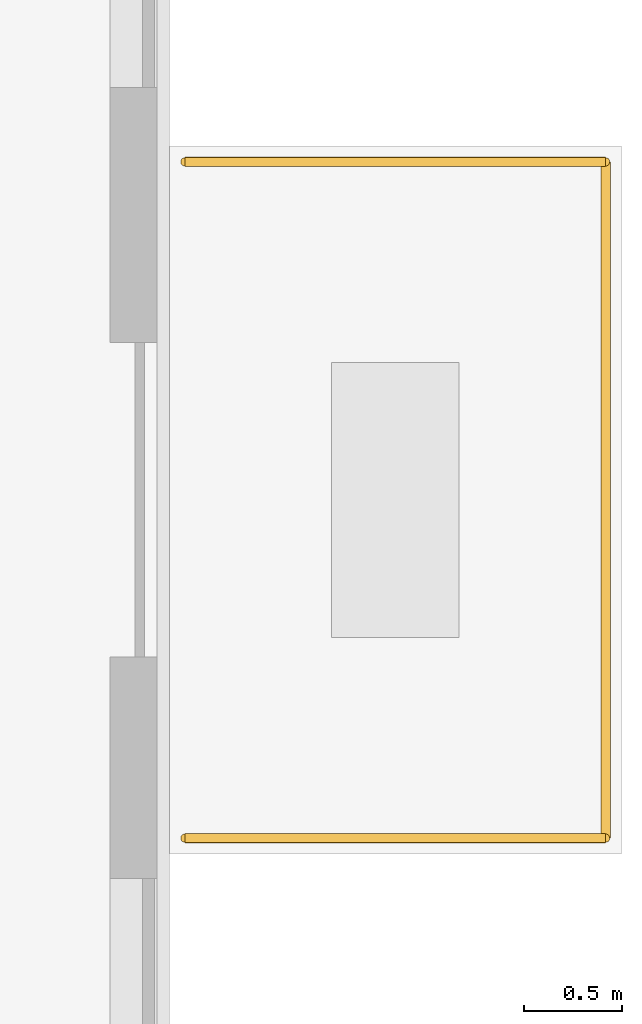
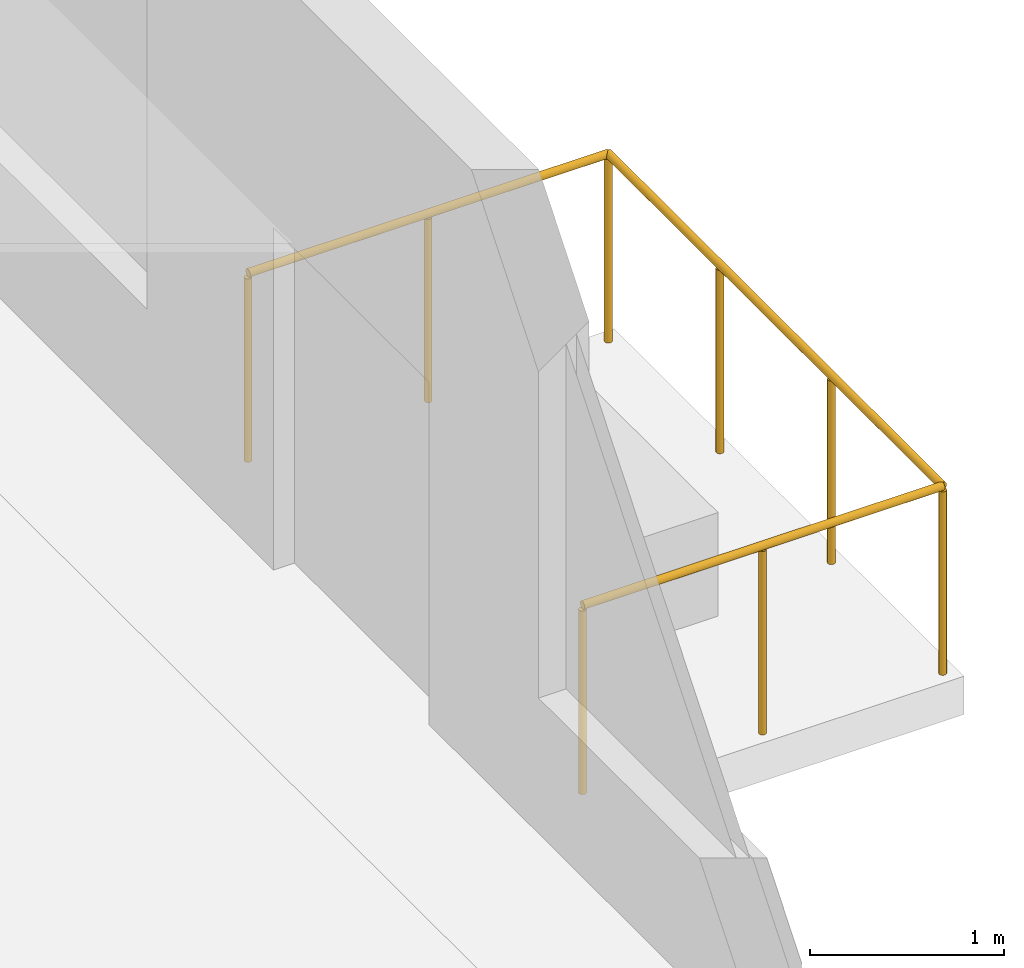
# One storey, part 11 of 11: 3 railings.
"""IFC4 building model written with IfcOpenShell, lengths in metres."""

from ifc_helpers import new_model, si_unit, direction, frame, origin, origin_2d, place, context, subcontext, project, spatial, circle, extrude, material, type_object, element, save


model = new_model("IFC4")

# Units and contexts
model_context = context("Model", 3, precision=1e-05, world=origin(), true_north=direction((0.0, 1.0)))
body_context = subcontext(model_context, "Body", "Model", "MODEL_VIEW")
ifc_project = project(units=[si_unit("LENGTHUNIT", "METRE"), si_unit("AREAUNIT", "SQUARE_METRE"), si_unit("VOLUMEUNIT", "CUBIC_METRE"), si_unit("PLANEANGLEUNIT", "RADIAN"), si_unit("MASSUNIT", "GRAM", prefix="KILO")], contexts=[model_context])

# Site, building, storey
site_placement = place(None, origin())
site = spatial("IfcSite", under=ifc_project, at=site_placement, CompositionType="ELEMENT")
building_placement = place(site_placement, origin())
building = spatial("IfcBuilding", under=site, at=building_placement, Name="Calvemar Wedge Station Tower", CompositionType="ELEMENT")
storey_placement = place(building_placement, frame((0.0, 0.0, 35.0)))
storey = spatial("IfcBuildingStorey", under=building, at=storey_placement, Name="L08", CompositionType="ELEMENT", Elevation=35.0)

# Railings
ifc_material = material(Name="Stainless steel AISI 316L", Category="steel")
railing_type = type_object("IfcRailingType", Name="GRD-TERR-1200", PredefinedType="GUARDRAIL", material=ifc_material)
railing_1_placement = place(storey_placement, frame((61.080078125, 40.330078125, 0.0)))
element("IfcRailing", 1, at=railing_1_placement, inside=storey, type_object=railing_type, Name="Storey L08 Spiral Terrace Guard 2", PredefinedType="GUARDRAIL", context=body_context, shape_type="SweptSolid", body=[
    extrude(circle(Radius=0.02392578125, at=origin_2d()), frame((0.0, 0.0, 1.17578125), z_axis=(1.0, 0.0, 0.0), x_axis=(0.0, 1.0, 0.0)), (0.0, 0.0, 1.0), 2.139892578125),
    extrude(circle(Radius=0.02099609375, at=origin_2d()), origin(), (0.0, 0.0, 1.0), 1.15185546875),
    extrude(circle(Radius=0.02099609375, at=origin_2d()), frame((1.06982421875, 0.0, 0.0)), (0.0, 0.0, 1.0), 1.15185546875),
    extrude(circle(Radius=0.02099609375, at=origin_2d()), frame((2.139892578125, 0.0, 0.0)), (0.0, 0.0, 1.0), 1.15185546875),
])
railing_2_placement = place(storey_placement, frame((63.219970703125, 40.330078125, 0.0)))
element("IfcRailing", 2, at=railing_2_placement, inside=storey, type_object=railing_type, Name="Storey L08 Spiral Terrace Guard 3", PredefinedType="GUARDRAIL", context=body_context, shape_type="SweptSolid", body=[
    extrude(circle(Radius=0.02392578125, at=origin_2d()), frame((0.0, 0.0, 1.17578125), z_axis=(0.0, -1.0, 0.0), x_axis=(1.0, 0.0, 0.0)), (0.0, 0.0, 1.0), 3.440185546875),
    extrude(circle(Radius=0.02099609375, at=origin_2d()), origin(), (0.0, 0.0, 1.0), 1.15185546875),
    extrude(circle(Radius=0.02099609375, at=origin_2d()), frame((0.0, -1.146728515625, 0.0)), (0.0, 0.0, 1.0), 1.15185546875),
    extrude(circle(Radius=0.02099609375, at=origin_2d()), frame((0.0, -2.29345703125, 0.0)), (0.0, 0.0, 1.0), 1.15185546875),
    extrude(circle(Radius=0.02099609375, at=origin_2d()), frame((0.0, -3.440185546875, 0.0)), (0.0, 0.0, 1.0), 1.15185546875),
])
railing_3_placement = place(storey_placement, frame((63.219970703125, 36.889892578125, 0.0)))
element("IfcRailing", 3, at=railing_3_placement, inside=storey, type_object=railing_type, Name="Storey L08 Spiral Terrace Guard 4", PredefinedType="GUARDRAIL", context=body_context, shape_type="SweptSolid", body=[
    extrude(circle(Radius=0.02392578125, at=origin_2d()), frame((0.0, 0.0, 1.17578125), z_axis=(-1.0, 0.0, 0.0), x_axis=(0.0, -1.0, 0.0)), (0.0, 0.0, 1.0), 2.139892578125),
    extrude(circle(Radius=0.02099609375, at=origin_2d()), origin(), (0.0, 0.0, 1.0), 1.15185546875),
    extrude(circle(Radius=0.02099609375, at=origin_2d()), frame((-1.06982421875, 0.0, 0.0)), (0.0, 0.0, 1.0), 1.15185546875),
    extrude(circle(Radius=0.02099609375, at=origin_2d()), frame((-2.139892578125, 0.0, 0.0)), (0.0, 0.0, 1.0), 1.15185546875),
])

save(model, "model.ifc")
